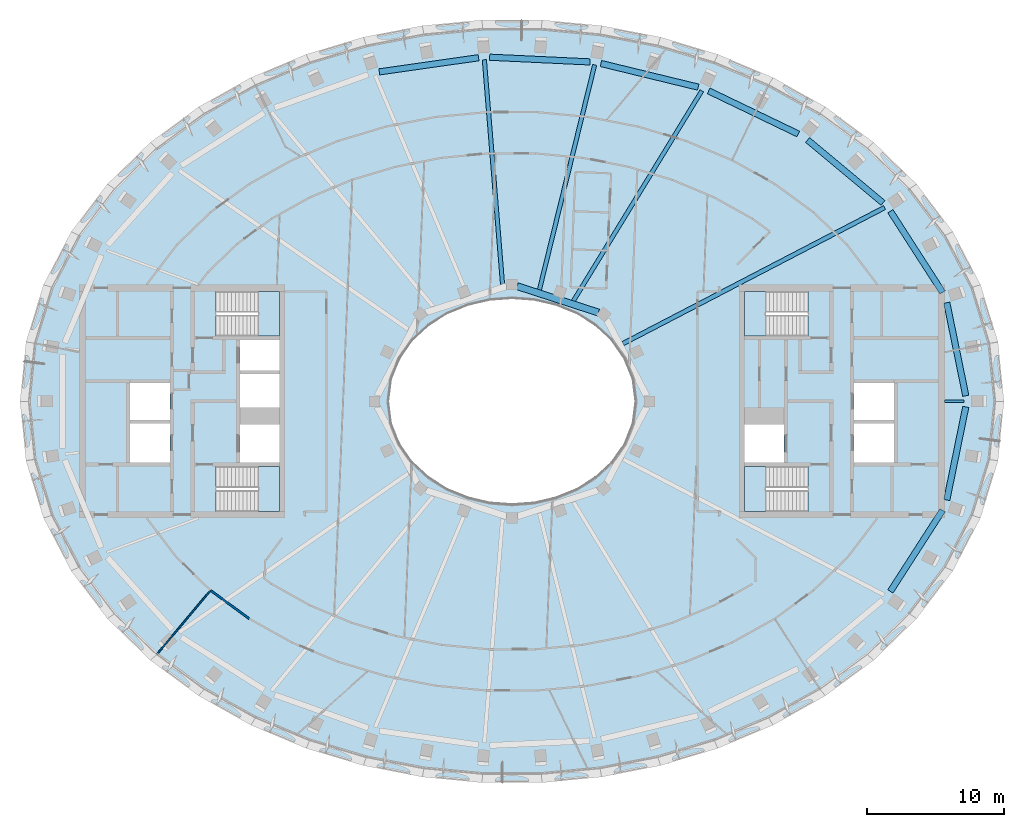
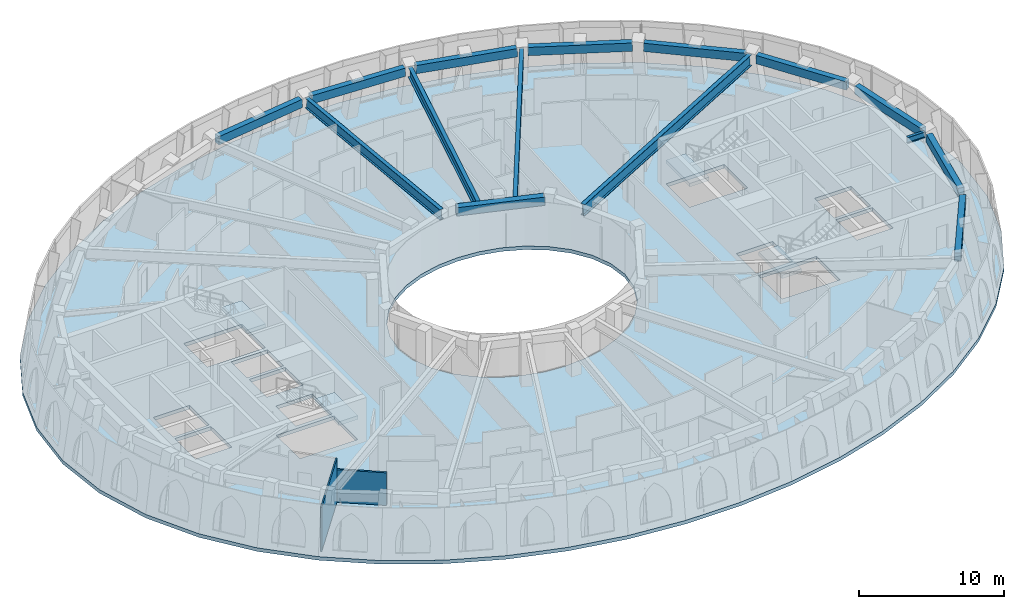
# One storey, part 2 of 14: 15 beams, 5 slabs, 2 walls, 4 elements without a shape of their own.
"""IFC4 building model written with IfcOpenShell, lengths in metres."""

from ifc_helpers import new_model, si_unit, direction, frame, frame_2d, origin, origin_2d, place, context, subcontext, project, spatial, polyline, rectangle, i_section, outline, extrude, material, layer, layer_set, material_profile, profile_set, type_object, element, aggregate, save


model = new_model("IFC4")

# Units and contexts
model_context = context("Model", 3, precision=1e-05, world=origin(), true_north=direction((0.0, 1.0)))
body_context = subcontext(model_context, "Body", "Model", "MODEL_VIEW")
ifc_project = project(units=[si_unit("LENGTHUNIT", "METRE"), si_unit("AREAUNIT", "SQUARE_METRE"), si_unit("VOLUMEUNIT", "CUBIC_METRE"), si_unit("PLANEANGLEUNIT", "RADIAN"), si_unit("MASSUNIT", "GRAM", prefix="KILO")], contexts=[model_context])

# Site, building, storey
site_placement = place(None, origin())
site = spatial("IfcSite", under=ifc_project, at=site_placement, CompositionType="ELEMENT")
building_placement = place(site_placement, origin())
building = spatial("IfcBuilding", under=site, at=building_placement, Name="Noorbagh Ring Tower", CompositionType="ELEMENT")
storey_placement = place(building_placement, frame((0.0, 0.0, 335.0)))
storey = spatial("IfcBuildingStorey", under=building, at=storey_placement, Name="L73", CompositionType="ELEMENT", Elevation=335.0)

# Beams
ifc_material_1 = material(Name="Steel S355", Category="steel")
ifc_material_profile_1 = material_profile(ifc_material_1, i_section(OverallWidth=0.199951171875, OverallDepth=0.5, WebThickness=0.01025390625, FlangeThickness=0.01611328125, FilletRadius=0.02099609375, at=origin_2d()), Name="IPE500")
ifc_profile_set_1 = profile_set([ifc_material_profile_1], Name="Steel S355")
beam_type_1 = type_object("IfcBeamType", Name="STR-RAD-IPE500", PredefinedType="BEAM", material=ifc_profile_set_1)
beam_1_placement = place(storey_placement, frame((32.8974609375, 0.0, 3.449951171875), z_axis=(-1.0, 0.0, 0.0), x_axis=(0.0, -1.0, 0.0)))
element("IfcBeam", 1, at=beam_1_placement, inside=storey, type_object=beam_type_1, Name="L73/bm/RD01", PredefinedType="BEAM", context=body_context, shape_type="SweptSolid", body=[
    extrude(i_section(OverallWidth=0.199951171875, OverallDepth=0.5, WebThickness=0.01025390625, FlangeThickness=0.01611328125, FilletRadius=0.02099609375, at=origin_2d()), origin(), (0.0, 0.0, 1.0), 1.41748046875),
])
ifc_material_2 = material(Name="Steel S355", Category="steel")
ifc_material_profile_2 = material_profile(ifc_material_2, i_section(OverallWidth=0.300048828125, OverallDepth=0.85009765625, WebThickness=0.013916015625, FlangeThickness=0.028076171875, at=origin_2d()), Name="PG850x300x14x28")
ifc_profile_set_2 = profile_set([ifc_material_profile_2], Name="Steel S355")
beam_type_2 = type_object("IfcBeamType", Name="STR-RAD-PG850x300x14x28", PredefinedType="BEAM", material=ifc_profile_set_2)
beam_2_placement = place(storey_placement, frame((13.810546875, 22.594482421875, 3.27490234375), z_axis=(-0.521525470141, -0.853235714205, 0.0), x_axis=(0.853235714205, -0.521525470141, 0.0)))
element("IfcBeam", 2, at=beam_2_placement, inside=storey, type_object=beam_type_2, Name="L73/bm/RD09", PredefinedType="BEAM", context=body_context, shape_type="SweptSolid", body=[
    extrude(i_section(OverallWidth=0.300048828125, OverallDepth=0.85009765625, WebThickness=0.013916015625, FlangeThickness=0.028076171875, at=origin_2d()), origin(), (0.0, 0.0, 1.0), 17.928466796875),
])
beam_3_placement = place(storey_placement, frame((6.014892578125, 24.480712890625, 3.27490234375), z_axis=(-0.238597051957, -0.971118657424, 0.0), x_axis=(0.971118657424, -0.238597051957, 0.0)))
element("IfcBeam", 3, at=beam_3_placement, inside=storey, type_object=beam_type_2, Name="L73/bm/RD11", PredefinedType="BEAM", context=body_context, shape_type="SweptSolid", body=[
    extrude(i_section(OverallWidth=0.300048828125, OverallDepth=0.85009765625, WebThickness=0.013916015625, FlangeThickness=0.028076171875, at=origin_2d()), origin(), (0.0, 0.0, 1.0), 16.869140625),
])
beam_4_placement = place(storey_placement, frame((-2.01123046875, 24.85498046875, 3.27490234375), z_axis=(0.080660654918, -0.996741620857, 0.0), x_axis=(0.996741620857, 0.080660654918, 0.0)))
element("IfcBeam", 4, at=beam_4_placement, inside=storey, type_object=beam_type_2, Name="L73/bm/RD13", PredefinedType="BEAM", context=body_context, shape_type="SweptSolid", body=[
    extrude(i_section(OverallWidth=0.300048828125, OverallDepth=0.85009765625, WebThickness=0.013916015625, FlangeThickness=0.028076171875, at=origin_2d()), origin(), (0.0, 0.0, 1.0), 16.386962890625),
])
ifc_material_3 = material(Name="Steel S355", Category="steel")
ifc_material_profile_3 = material_profile(ifc_material_3, i_section(OverallWidth=0.320068359375, OverallDepth=0.949951171875, WebThickness=0.01611328125, FlangeThickness=0.030029296875, at=origin_2d()), Name="PG950x320x16x30")
ifc_profile_set_3 = profile_set([ifc_material_profile_3], Name="Steel S355")
beam_type_3 = type_object("IfcBeamType", Name="STR-RAD-PG950x320x16x30", PredefinedType="BEAM", material=ifc_profile_set_3)
beam_5_placement = place(storey_placement, frame((27.1015625, 14.09765625, 3.22509765625), z_axis=(-0.8871538295, -0.461473815945, 0.0), x_axis=(0.461473815945, -0.8871538295, 0.0)))
element("IfcBeam", 5, at=beam_5_placement, inside=storey, type_object=beam_type_3, Name="L73/bm/RD05", PredefinedType="BEAM", context=body_context, shape_type="SweptSolid", body=[
    extrude(i_section(OverallWidth=0.320068359375, OverallDepth=0.949951171875, WebThickness=0.01611328125, FlangeThickness=0.030029296875, at=origin_2d()), origin(), (0.0, 0.0, 1.0), 21.4580078125),
])
ifc_material_4 = material(Name="Concrete C40/50", Category="concrete")
ifc_material_profile_4 = material_profile(ifc_material_4, rectangle(XDim=0.5, YDim=0.699951171875, at=origin_2d()), Name="RC500x700")
ifc_profile_set_4 = profile_set([ifc_material_profile_4], Name="Concrete C40/50")
beam_type_4 = type_object("IfcBeamType", Name="STR-RB-RC500x700-C40-50", PredefinedType="BEAM", material=ifc_profile_set_4)
beam_6_placement = place(storey_placement, frame((6.286865234375, 6.462158203125, 3.35009765625), z_axis=(-0.951150444931, 0.308727762126, 0.0), x_axis=(-0.308727762126, -0.951150444931, 0.0)))
element("IfcBeam", 6, at=beam_6_placement, inside=storey, type_object=beam_type_4, Name="L73/bm/RG03", PredefinedType="BEAM", context=body_context, shape_type="SweptSolid", body=[
    extrude(rectangle(XDim=0.5, YDim=0.699951171875, at=origin_2d()), origin(), (0.0, 0.0, 1.0), 6.209228515625),
])
ifc_material_5 = material(Name="Concrete C40/50", Category="concrete")
ifc_material_profile_5 = material_profile(ifc_material_5, rectangle(XDim=0.449951171875, YDim=0.699951171875, at=origin_2d()), Name="RC450x700")
ifc_profile_set_5 = profile_set([ifc_material_profile_5], Name="Concrete C40/50")
beam_type_5 = type_object("IfcBeamType", Name="STR-SB-RC450x700-C40-50", PredefinedType="BEAM", material=ifc_profile_set_5)
beam_7_placement = place(storey_placement, frame((33.019287109375, 0.405517578125, 3.35009765625), z_axis=(-0.20021745778, 0.979751483592, 0.0), x_axis=(-0.979751483592, -0.20021745778, 0.0)))
element("IfcBeam", 7, at=beam_7_placement, inside=storey, type_object=beam_type_5, Name="L73/bm/SP01", PredefinedType="BEAM", context=body_context, shape_type="SweptSolid", body=[
    extrude(rectangle(XDim=0.449951171875, YDim=0.699951171875, at=origin_2d()), origin(), (0.0, 0.0, 1.0), 6.911376953125),
])
beam_8_placement = place(storey_placement, frame((31.330078125, 7.927734375, 3.35009765625), z_axis=(-0.541153001378, 0.840924151811, 0.0), x_axis=(-0.840924151811, -0.541153001378, 0.0)))
element("IfcBeam", 8, at=beam_8_placement, inside=storey, type_object=beam_type_5, Name="L73/bm/SP03", PredefinedType="BEAM", context=body_context, shape_type="SweptSolid", body=[
    extrude(rectangle(XDim=0.449951171875, YDim=0.699951171875, at=origin_2d()), origin(), (0.0, 0.0, 1.0), 7.020263671875),
])
beam_9_placement = place(storey_placement, frame((26.994384765625, 14.438720703125, 3.35009765625), z_axis=(-0.76796630021, 0.64049025109, 0.0), x_axis=(-0.64049025109, -0.76796630021, 0.0)))
element("IfcBeam", 9, at=beam_9_placement, inside=storey, type_object=beam_type_5, Name="L73/bm/SP05", PredefinedType="BEAM", context=body_context, shape_type="SweptSolid", body=[
    extrude(rectangle(XDim=0.449951171875, YDim=0.699951171875, at=origin_2d()), origin(), (0.0, 0.0, 1.0), 7.1435546875),
])
beam_10_placement = place(storey_placement, frame((20.8271484375, 19.45263671875, 3.35009765625), z_axis=(-0.901063725305, 0.433686710587, 0.0), x_axis=(-0.433686710587, -0.901063725305, 0.0)))
element("IfcBeam", 10, at=beam_10_placement, inside=storey, type_object=beam_type_5, Name="L73/bm/SP07", PredefinedType="BEAM", context=body_context, shape_type="SweptSolid", body=[
    extrude(rectangle(XDim=0.449951171875, YDim=0.699951171875, at=origin_2d()), origin(), (0.0, 0.0, 1.0), 7.232177734375),
])
beam_11_placement = place(storey_placement, frame((13.547607421875, 22.862060546875, 3.35009765625), z_axis=(-0.971686119165, 0.236275444812, 0.0), x_axis=(-0.236275444812, -0.971686119165, 0.0)))
element("IfcBeam", 11, at=beam_11_placement, inside=storey, type_object=beam_type_5, Name="L73/bm/SP09", PredefinedType="BEAM", context=body_context, shape_type="SweptSolid", body=[
    extrude(rectangle(XDim=0.449951171875, YDim=0.699951171875, at=origin_2d()), origin(), (0.0, 0.0, 1.0), 7.28271484375),
])
beam_12_placement = place(storey_placement, frame((5.66943359375, 24.697998046875, 3.35009765625), z_axis=(-0.998902514597, 0.046837659324, 0.0), x_axis=(-0.046837659324, -0.998902514597, 0.0)))
element("IfcBeam", 12, at=beam_12_placement, inside=storey, type_object=beam_type_5, Name="L73/bm/SP11", PredefinedType="BEAM", context=body_context, shape_type="SweptSolid", body=[
    extrude(rectangle(XDim=0.449951171875, YDim=0.699951171875, at=origin_2d()), origin(), (0.0, 0.0, 1.0), 7.302734375),
])
beam_13_placement = place(storey_placement, frame((-2.4345703125, 25.001708984375, 3.35009765625), z_axis=(-0.99002231027, -0.140910699268, 0.0), x_axis=(0.140910699268, -0.99002231027, 0.0)))
element("IfcBeam", 13, at=beam_13_placement, inside=storey, type_object=beam_type_5, Name="L73/bm/SP13", PredefinedType="BEAM", context=body_context, shape_type="SweptSolid", body=[
    extrude(rectangle(XDim=0.449951171875, YDim=0.699951171875, at=origin_2d()), origin(), (0.0, 0.0, 1.0), 7.2958984375),
])
beam_14_placement = place(storey_placement, frame((27.531005859375, -13.831298828125, 3.35009765625), z_axis=(0.541153001378, 0.840924151811, 0.0), x_axis=(-0.840924151811, 0.541153001378, 0.0)))
element("IfcBeam", 14, at=beam_14_placement, inside=storey, type_object=beam_type_5, Name="L73/bm/SP43", PredefinedType="BEAM", context=body_context, shape_type="SweptSolid", body=[
    extrude(rectangle(XDim=0.449951171875, YDim=0.699951171875, at=origin_2d()), origin(), (0.0, 0.0, 1.0), 7.020263671875),
])
beam_15_placement = place(storey_placement, frame((31.635498046875, -7.177001953125, 3.35009765625), z_axis=(0.20021745778, 0.979751483592, 0.0), x_axis=(-0.979751483592, 0.20021745778, 0.0)))
element("IfcBeam", 15, at=beam_15_placement, inside=storey, type_object=beam_type_5, Name="L73/bm/SP45", PredefinedType="BEAM", context=body_context, shape_type="SweptSolid", body=[
    extrude(rectangle(XDim=0.449951171875, YDim=0.699951171875, at=origin_2d()), origin(), (0.0, 0.0, 1.0), 6.911376953125),
])

# Stair, slab
ifc_material_6 = material(Name="Concrete C40/50", Category="concrete")
stair_type = type_object("IfcStairType", Name="CORE-STAIR", PredefinedType="HALF_TURN_STAIR", material=ifc_material_6)
stair_1_placement = place(storey_placement, origin())
stair_1 = element("IfcStair", 16, at=stair_1_placement, inside=storey, type_object=stair_type, Name="L73 Exit stair ST1", PredefinedType="HALF_TURN_STAIR")
ifc_material_7 = material(Name="Concrete C40/50", Category="concrete")
ifc_layer_1 = layer(ifc_material_7, 0.300048828125)
ifc_layer_set_1 = layer_set([ifc_layer_1], Name="Concrete C40/50")
slab_type_1 = type_object("IfcSlabType", Name="CORE-STAIR-LANDING", PredefinedType="LANDING", material=ifc_layer_set_1)
slab_1_placement = place(storey_placement, frame((0.0, 0.0, 1.699951171875)))
slab_1 = element("IfcSlab", 17, at=slab_1_placement, type_object=slab_type_1, Name="ST1 landing 1", PredefinedType="LANDING", context=body_context, shape_type="SweptSolid", body=[
    extrude(outline(polyline([(-18.449951171875, 4.75), (-16.89990234375, 4.75), (-16.89990234375, 8.0), (-18.449951171875, 8.0), (-18.449951171875, 4.75)])), origin(), (0.0, 0.0, 1.0), 0.300048828125),
])
aggregate(stair_1, [slab_1])

stair_2_placement = place(storey_placement, origin())
stair_2 = element("IfcStair", 18, at=stair_2_placement, inside=storey, type_object=stair_type, Name="L73 Exit stair ST2", PredefinedType="HALF_TURN_STAIR")
slab_2_placement = place(storey_placement, frame((0.0, 0.0, 1.699951171875)))
slab_2 = element("IfcSlab", 19, at=slab_2_placement, type_object=slab_type_1, Name="ST2 landing 1", PredefinedType="LANDING", context=body_context, shape_type="SweptSolid", body=[
    extrude(outline(polyline([(-18.449951171875, -8.0), (-16.89990234375, -8.0), (-16.89990234375, -4.75), (-18.449951171875, -4.75), (-18.449951171875, -8.0)])), origin(), (0.0, 0.0, 1.0), 0.300048828125),
])
aggregate(stair_2, [slab_2])

stair_3_placement = place(storey_placement, origin())
stair_3 = element("IfcStair", 20, at=stair_3_placement, inside=storey, type_object=stair_type, Name="L73 Exit stair ST3", PredefinedType="HALF_TURN_STAIR")
slab_3_placement = place(storey_placement, frame((0.0, 0.0, 1.699951171875)))
slab_3 = element("IfcSlab", 21, at=slab_3_placement, type_object=slab_type_1, Name="ST3 landing 1", PredefinedType="LANDING", context=body_context, shape_type="SweptSolid", body=[
    extrude(outline(polyline([(18.449951171875, 8.0), (16.89990234375, 8.0), (16.89990234375, 4.75), (18.449951171875, 4.75), (18.449951171875, 8.0)])), origin(), (0.0, 0.0, 1.0), 0.300048828125),
])
aggregate(stair_3, [slab_3])

stair_4_placement = place(storey_placement, origin())
stair_4 = element("IfcStair", 22, at=stair_4_placement, inside=storey, type_object=stair_type, Name="L73 Exit stair ST4", PredefinedType="HALF_TURN_STAIR")
slab_4_placement = place(storey_placement, frame((0.0, 0.0, 1.699951171875)))
slab_4 = element("IfcSlab", 23, at=slab_4_placement, type_object=slab_type_1, Name="ST4 landing 1", PredefinedType="LANDING", context=body_context, shape_type="SweptSolid", body=[
    extrude(outline(polyline([(18.449951171875, -4.75), (16.89990234375, -4.75), (16.89990234375, -8.0), (18.449951171875, -8.0), (18.449951171875, -4.75)])), origin(), (0.0, 0.0, 1.0), 0.300048828125),
])
aggregate(stair_4, [slab_4])

# Slab
ifc_material_8 = material(Name="Concrete C40/50", Category="concrete")
ifc_layer_2 = layer(ifc_material_8, 0.300048828125)
ifc_layer_set_2 = layer_set([ifc_layer_2], Name="Concrete C40/50")
slab_type_2 = type_object("IfcSlabType", Name="STR-FLOOR-DECK-300", PredefinedType="FLOOR", material=ifc_layer_set_2)
slab_5_placement = place(storey_placement, frame((0.0, 0.0, -0.300048828125)))
element("IfcSlab", 24, at=slab_5_placement, inside=storey, type_object=slab_type_2, Name="L73/slab/1", PredefinedType="FLOOR", context=body_context, shape_type="SweptSolid", body=[
    extrude(outline(polyline([(35.799560546875, 0.0), (35.363037109375, 4.327392578125), (34.090087890625, 8.487548828125), (32.07568359375, 12.345703125), (29.442626953125, 15.814208984375), (26.315673828125, 18.847412109375), (22.804931640625, 21.42919921875), (19.001708984375, 23.560302734375), (14.9814453125, 25.248291015625), (10.8046875, 26.503173828125), (6.523193359375, 27.334228515625), (2.180908203125, 27.747802734375), (-2.180908203125, 27.747802734375), (-6.523193359375, 27.334228515625), (-10.8046875, 26.503173828125), (-14.9814453125, 25.248291015625), (-19.001708984375, 23.560302734375), (-22.804931640625, 21.42919921875), (-26.315673828125, 18.847412109375), (-29.442626953125, 15.814208984375), (-32.07568359375, 12.345703125), (-34.090087890625, 8.487548828125), (-35.363037109375, 4.327392578125), (-35.799560546875, 0.0), (-35.363037109375, -4.327392578125), (-34.090087890625, -8.487548828125), (-32.07568359375, -12.345703125), (-29.442626953125, -15.814208984375), (-26.315673828125, -18.847412109375), (-22.804931640625, -21.42919921875), (-19.001708984375, -23.560302734375), (-14.9814453125, -25.248291015625), (-10.8046875, -26.503173828125), (-6.523193359375, -27.334228515625), (-2.180908203125, -27.747802734375), (2.180908203125, -27.747802734375), (6.523193359375, -27.334228515625), (10.8046875, -26.503173828125), (14.9814453125, -25.248291015625), (19.001708984375, -23.560302734375), (22.804931640625, -21.42919921875), (26.315673828125, -18.847412109375), (29.442626953125, -15.814208984375), (32.07568359375, -12.345703125), (34.090087890625, -8.487548828125), (35.363037109375, -4.327392578125), (35.799560546875, 0.0)]), holes=[polyline([(24.89990234375, -1.60009765625), (27.800048828125, -1.60009765625), (27.800048828125, -4.449951171875), (24.89990234375, -4.449951171875), (24.89990234375, -1.60009765625)]), polyline([(24.89990234375, 1.35009765625), (27.800048828125, 1.35009765625), (27.800048828125, -1.35009765625), (24.89990234375, -1.35009765625), (24.89990234375, 1.35009765625)]), polyline([(21.529541015625, -8.0), (16.89990234375, -8.0), (16.89990234375, -4.75), (21.529541015625, -4.75), (21.529541015625, -8.0)]), polyline([(21.529541015625, 4.75), (16.89990234375, 4.75), (16.89990234375, 8.0), (21.529541015625, 8.0), (21.529541015625, 4.75)]), polyline([(16.89990234375, -1.699951171875), (19.800048828125, -1.699951171875), (19.800048828125, -4.449951171875), (16.89990234375, -4.449951171875), (16.89990234375, -1.699951171875)]), polyline([(4.697509765625, -6.3974609375), (3.196533203125, -7.010986328125), (1.6171875, -7.3779296875), (0.0, -7.5), (-1.6171875, -7.3779296875), (-3.196533203125, -7.010986328125), (-4.697509765625, -6.3974609375), (-6.071044921875, -5.53662109375), (-7.2587890625, -4.43408203125), (-8.1904296875, -3.10888671875), (-8.79150390625, -1.605224609375), (-9.0, 0.0), (-8.79150390625, 1.605224609375), (-8.1904296875, 3.10888671875), (-7.2587890625, 4.43408203125), (-6.071044921875, 5.53662109375), (-4.697509765625, 6.3974609375), (-3.196533203125, 7.010986328125), (-1.6171875, 7.3779296875), (0.0, 7.5), (1.6171875, 7.3779296875), (3.196533203125, 7.010986328125), (4.697509765625, 6.3974609375), (6.071044921875, 5.53662109375), (7.2587890625, 4.43408203125), (8.1904296875, 3.10888671875), (8.79150390625, 1.605224609375), (9.0, 0.0), (8.79150390625, -1.605224609375), (8.1904296875, -3.10888671875), (7.2587890625, -4.43408203125), (6.071044921875, -5.53662109375), (4.697509765625, -6.3974609375)]), polyline([(-21.529541015625, -8.0), (-21.529541015625, -4.75), (-16.89990234375, -4.75), (-16.89990234375, -8.0), (-21.529541015625, -8.0)]), polyline([(-21.529541015625, 4.75), (-21.529541015625, 8.0), (-16.89990234375, 8.0), (-16.89990234375, 4.75), (-21.529541015625, 4.75)]), polyline([(-16.89990234375, -4.449951171875), (-19.800048828125, -4.449951171875), (-19.800048828125, -1.699951171875), (-16.89990234375, -1.699951171875), (-16.89990234375, -4.449951171875)]), polyline([(-16.89990234375, -0.449951171875), (-19.800048828125, -0.449951171875), (-19.800048828125, 2.0), (-16.89990234375, 2.0), (-16.89990234375, -0.449951171875)]), polyline([(-16.89990234375, 2.25), (-19.800048828125, 2.25), (-19.800048828125, 4.449951171875), (-16.89990234375, 4.449951171875), (-16.89990234375, 2.25)]), polyline([(-24.89990234375, -4.449951171875), (-27.800048828125, -4.449951171875), (-27.800048828125, -1.60009765625), (-24.89990234375, -1.60009765625), (-24.89990234375, -4.449951171875)]), polyline([(-24.89990234375, 1.35009765625), (-24.89990234375, -1.35009765625), (-27.800048828125, -1.35009765625), (-27.800048828125, 1.35009765625), (-24.89990234375, 1.35009765625)])]), origin(), (0.0, 0.0, 1.0), 0.300048828125),
])

# Walls
ifc_material_9 = material(Name="Gypsum board on steel studs", Category="steel")
ifc_layer_3 = layer(ifc_material_9, 0.14990234375)
ifc_layer_set_3 = layer_set([ifc_layer_3], Name="Gypsum board on steel studs")
wall_type_1 = type_object("IfcWallType", Name="CORRIDOR PARTITION 150 EI 30", PredefinedType="PARTITIONING", material=ifc_layer_set_3)
wall_1_placement = place(storey_placement, frame((-21.9150390625, -13.77001953125, 0.0), z_axis=(0.0, 0.0, 1.0), x_axis=(0.80703851604, -0.5904988007, 0.0)))
element("IfcWall", 25, at=wall_1_placement, inside=storey, type_object=wall_type_1, Name="L73/wall/P10", PredefinedType="PARTITIONING", context=body_context, shape_type="SweptSolid", body=[
    extrude(rectangle(XDim=3.464599609375, YDim=0.14990234375, at=frame_2d((1.732421875, 0.0))), origin(), (0.0, 0.0, 1.0), 2.75),
])
ifc_material_10 = material(Name="Gypsum board on steel studs", Category="steel")
ifc_layer_4 = layer(ifc_material_10, 0.10009765625)
ifc_layer_set_4 = layer_set([ifc_layer_4], Name="Gypsum board on steel studs")
wall_type_2 = type_object("IfcWallType", Name="PARTITION 100 GYPSUM", PredefinedType="PARTITIONING", material=ifc_layer_set_4)
wall_2_placement = place(storey_placement, frame((-25.8359375, -18.39697265625, 0.0), z_axis=(0.0, 0.0, 1.0), x_axis=(0.643929761952, 0.765084610793, 0.0)))
element("IfcWall", 26, at=wall_2_placement, inside=storey, type_object=wall_type_2, Name="L73/wall/P04", PredefinedType="PARTITIONING", context=body_context, shape_type="SweptSolid", body=[
    extrude(rectangle(XDim=6.059326171875, YDim=0.10009765625, at=frame_2d((3.02978515625, 0.0))), origin(), (0.0, 0.0, 1.0), 3.699951171875),
])

save(model, "model.ifc")
